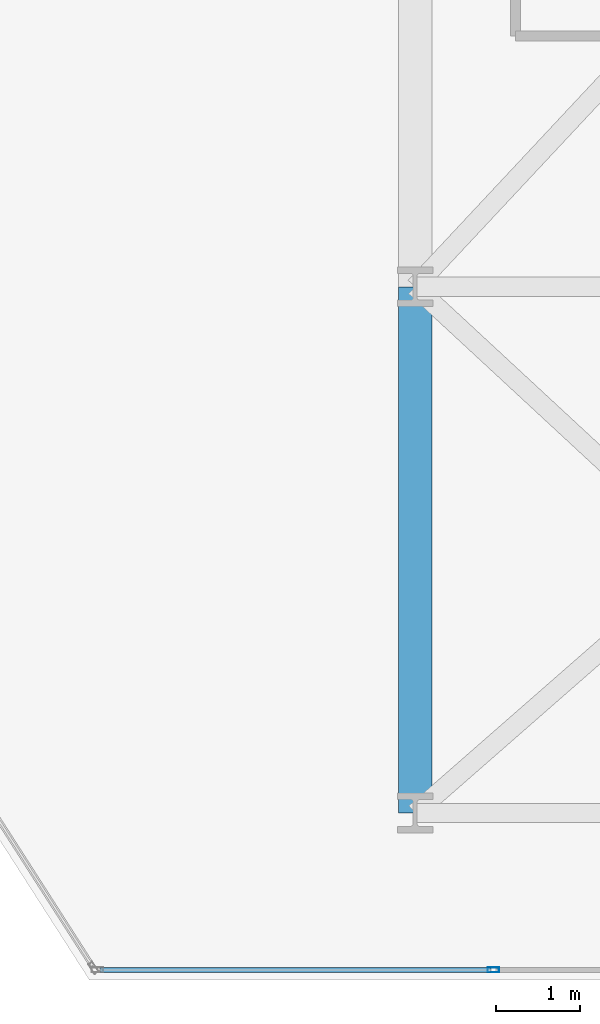
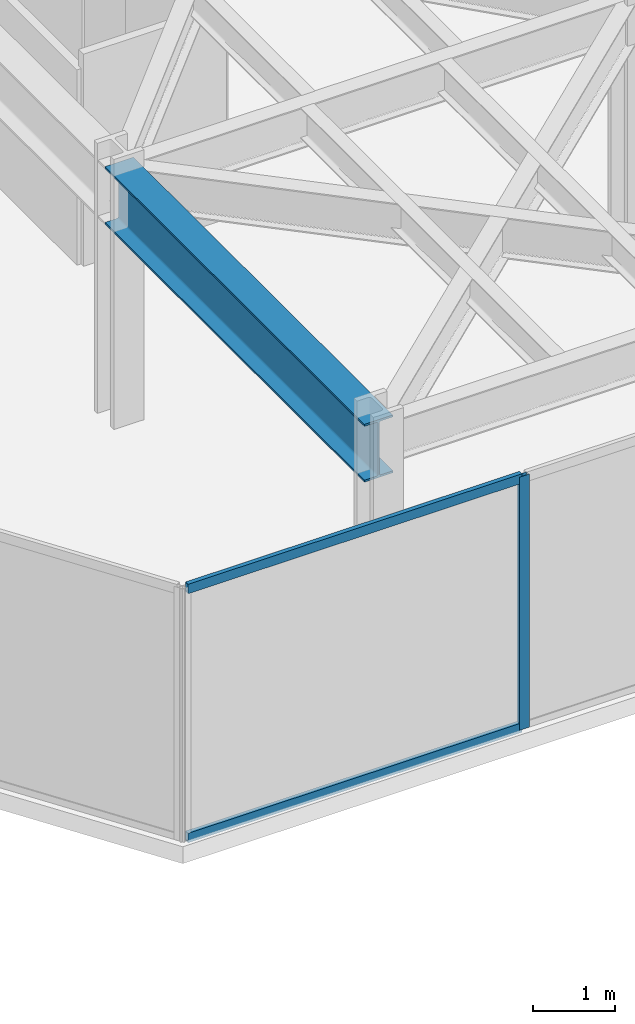
# One storey, part 10 of 20: 3 members, 1 beam, 1 element without a shape of its own.
"""IFC4 building model written with IfcOpenShell, lengths in metres."""

from ifc_helpers import new_model, si_unit, direction, frame, origin, origin_2d, place, context, subcontext, project, spatial, hollow_rectangle, i_section, extrude, material, layer, layer_set, material_profile, profile_set, type_object, element, aggregate, save


model = new_model("IFC4")

# Units and contexts
model_context = context("Model", 3, precision=1e-05, world=origin(), true_north=direction((0.0, 1.0)))
body_context = subcontext(model_context, "Body", "Model", "MODEL_VIEW")
ifc_project = project(units=[si_unit("LENGTHUNIT", "METRE"), si_unit("AREAUNIT", "SQUARE_METRE"), si_unit("VOLUMEUNIT", "CUBIC_METRE"), si_unit("PLANEANGLEUNIT", "RADIAN"), si_unit("MASSUNIT", "GRAM", prefix="KILO")], contexts=[model_context])

# Site, building, storey
site_placement = place(None, origin())
site = spatial("IfcSite", under=ifc_project, at=site_placement, CompositionType="ELEMENT")
building_placement = place(site_placement, origin())
building = spatial("IfcBuilding", under=site, at=building_placement, Name="Kravanh Interchange Tower", CompositionType="ELEMENT")
storey_placement = place(building_placement, frame((0.0, 0.0, 104.0)))
storey = spatial("IfcBuildingStorey", under=building, at=storey_placement, Name="L24", CompositionType="ELEMENT", Elevation=104.0)

# Curtain wall, members
ifc_material_1 = material(Name="Anodised Bronze Aluminium", Category="aluminium")
ifc_layer = layer(ifc_material_1, 0.179931640625)
ifc_layer_set = layer_set([ifc_layer], Name="Unitised Curtain Wall System CW-Z2 Mid Office")
curtain_wall_type = type_object("IfcCurtainWallType", Name="Unitised Curtain Wall System CW-Z2 Mid Office", PredefinedType="NOTDEFINED", material=ifc_layer_set)
curtain_wall_placement = place(storey_placement, origin())
curtain_wall = element("IfcCurtainWall", 1, at=curtain_wall_placement, inside=storey, type_object=curtain_wall_type, Name="L24 Unitised Curtain Wall CW-L24-02", PredefinedType="NOTDEFINED")
ifc_material_2 = material(Name="Anodised Bronze Aluminium", Category="aluminium")
ifc_material_profile_1 = material_profile(ifc_material_2, hollow_rectangle(XDim=0.06005859375, YDim=0.139892578125, WallThickness=0.00390625, at=origin_2d()), Name="ALU60X140X4")
ifc_profile_set_1 = profile_set([ifc_material_profile_1], Name="Anodised Bronze Aluminium")
member_type_1 = type_object("IfcMemberType", Name="Curtain Wall Mullion ALU60X140X4 Bronze", PredefinedType="MULLION", material=ifc_profile_set_1)
member_1_placement = place(storey_placement, frame((56.93798828125, 6.320068359375, 0.0), z_axis=(0.0, 0.0, 1.0), x_axis=(0.0, -1.0, 0.0)))
member_1 = element("IfcMember", 2, at=member_1_placement, type_object=member_type_1, Name="CW-Z2 mullion 2", PredefinedType="MULLION", context=body_context, shape_type="SweptSolid", body=[
    extrude(hollow_rectangle(XDim=0.06005859375, YDim=0.139892578125, WallThickness=0.00390625, at=origin_2d()), origin(), (0.0, 0.0, 1.0), 3.75),
])
ifc_material_3 = material(Name="Anodised Bronze Aluminium", Category="aluminium")
ifc_material_profile_2 = material_profile(ifc_material_3, hollow_rectangle(XDim=0.06005859375, YDim=0.139892578125, WallThickness=0.00390625, at=origin_2d()), Name="ALU60X140X4")
ifc_profile_set_2 = profile_set([ifc_material_profile_2], Name="Anodised Bronze Aluminium")
member_type_2 = type_object("IfcMemberType", Name="Curtain Wall Transom ALU60X140X4 Bronze", PredefinedType="USERDEFINED", material=ifc_profile_set_2)
member_2_placement = place(storey_placement, frame((56.907958984375, 6.320068359375, 0.030029296875), z_axis=(-1.0, 0.0, 0.0), x_axis=(0.0, -1.0, 0.0)))
member_2 = element("IfcMember", 3, at=member_2_placement, type_object=member_type_2, Name="CW-Z2 transom 2.1", ObjectType="TRANSOM", PredefinedType="USERDEFINED", context=body_context, shape_type="SweptSolid", body=[
    extrude(hollow_rectangle(XDim=0.06005859375, YDim=0.139892578125, WallThickness=0.00390625, at=origin_2d()), origin(), (0.0, 0.0, 1.0), 4.682373046875),
])
member_3_placement = place(storey_placement, frame((56.907958984375, 6.320068359375, 3.719970703125), z_axis=(-1.0, 0.0, 0.0), x_axis=(0.0, -1.0, 0.0)))
member_3 = element("IfcMember", 4, at=member_3_placement, type_object=member_type_2, Name="CW-Z2 transom 2.2", ObjectType="TRANSOM", PredefinedType="USERDEFINED", context=body_context, shape_type="SweptSolid", body=[
    extrude(hollow_rectangle(XDim=0.06005859375, YDim=0.139892578125, WallThickness=0.00390625, at=origin_2d()), origin(), (0.0, 0.0, 1.0), 4.682373046875),
])
aggregate(curtain_wall, [member_1, member_2, member_3])

# Beam
ifc_material_4 = material(Name="Structural Steel S355", Category="steel")
ifc_material_profile_3 = material_profile(ifc_material_4, i_section(OverallWidth=0.39990234375, OverallDepth=0.85595703125, WebThickness=0.018310546875, FlangeThickness=0.029296875, FilletRadius=0.02490234375, at=origin_2d()), Name="W33X201")
ifc_profile_set_3 = profile_set([ifc_material_profile_3], Name="Structural Steel S355")
beam_type = type_object("IfcBeamType", Name="Floor Beam W33X201 Structural Steel S355", PredefinedType="BEAM", material=ifc_profile_set_3)
beam_placement = place(storey_placement, frame((56.0, 8.199951171875, 3.322021484375), z_axis=(0.0, 1.0, 0.0), x_axis=(-1.0, 0.0, 0.0)))
element("IfcBeam", 5, at=beam_placement, inside=storey, type_object=beam_type, Name="L24 Primary Floor Girder 95", PredefinedType="BEAM", context=body_context, shape_type="SweptSolid", body=[
    extrude(i_section(OverallWidth=0.39990234375, OverallDepth=0.85595703125, WebThickness=0.018310546875, FlangeThickness=0.029296875, FilletRadius=0.02490234375, at=origin_2d()), origin(), (0.0, 0.0, 1.0), 6.300048828125),
])

save(model, "model.ifc")
